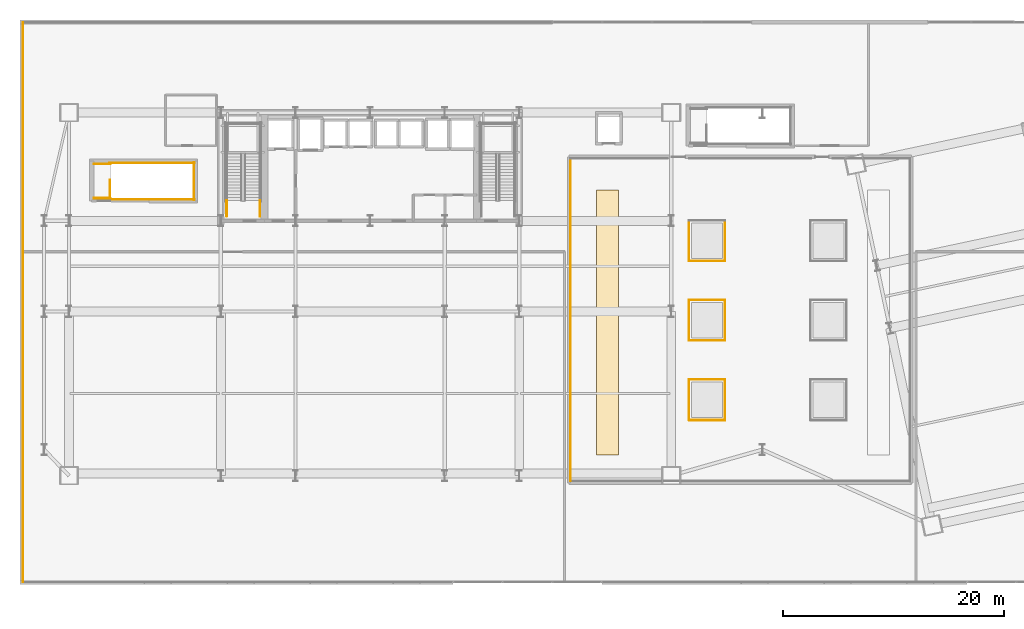
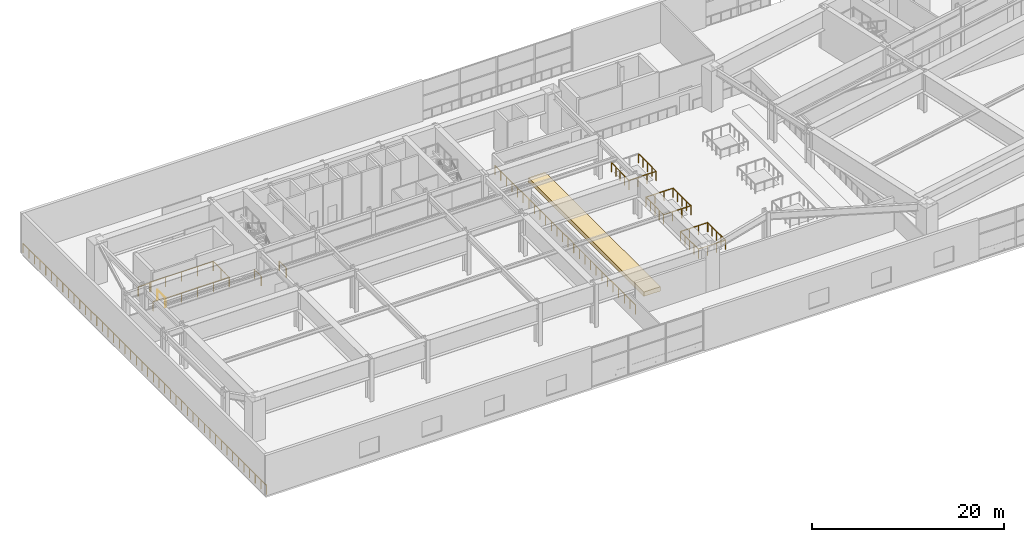
# One storey, part 21 of 29: 21 railings, 1 covering.
"""IFC4 building model written with IfcOpenShell, lengths in metres."""

from ifc_helpers import new_model, si_unit, direction, frame, origin, origin_2d, place, context, subcontext, project, spatial, polyline, rectangle, outline, extrude, material, layer, layer_set, type_object, element, save


model = new_model("IFC4")

# Units and contexts
model_context = context("Model", 3, precision=1e-05, world=origin(), true_north=direction((0.0, 1.0)))
body_context = subcontext(model_context, "Body", "Model", "MODEL_VIEW")
ifc_project = project(units=[si_unit("LENGTHUNIT", "METRE"), si_unit("AREAUNIT", "SQUARE_METRE"), si_unit("VOLUMEUNIT", "CUBIC_METRE"), si_unit("PLANEANGLEUNIT", "RADIAN"), si_unit("MASSUNIT", "GRAM", prefix="KILO")], contexts=[model_context])

# Site, building, storey
site_placement = place(None, origin())
site = spatial("IfcSite", under=ifc_project, at=site_placement, CompositionType="ELEMENT")
building_placement = place(site_placement, origin())
building = spatial("IfcBuilding", under=site, at=building_placement, Name="Haevon Station Towers", CompositionType="ELEMENT")
storey_placement = place(building_placement, frame((0.0, 0.0, 25.199951171875)))
storey = spatial("IfcBuildingStorey", under=building, at=storey_placement, Name="L05", CompositionType="ELEMENT", Elevation=25.199951171875)

# Railings
ifc_material_1 = material(Name="Steel S355", Category="steel")
railing_type_1 = type_object("IfcRailingType", Name="GRD-EXT1200", PredefinedType="GUARDRAIL", material=ifc_material_1)
railing_1_placement = place(storey_placement, frame((66.370361328125, 20.16015625, 0.0)))
element("IfcRailing", 1, at=railing_1_placement, inside=storey, type_object=railing_type_1, Name="L05 Atrium Void Balustrade 1", PredefinedType="GUARDRAIL", context=body_context, shape_type="SweptSolid", body=[
    extrude(rectangle(XDim=0.048095703125, YDim=0.048095703125, at=origin_2d()), frame((0.0, 0.0, 1.17578125), z_axis=(1.0, 0.0, 0.0), x_axis=(0.0, 1.0, 0.0)), (0.0, 0.0, 1.0), 3.25927734375),
    extrude(rectangle(XDim=0.0419921875, YDim=0.0419921875, at=origin_2d()), origin(), (0.0, 0.0, 1.0), 1.15185546875),
    extrude(rectangle(XDim=0.0419921875, YDim=0.0419921875, at=origin_2d()), frame((1.08642578125, 0.0, 0.0)), (0.0, 0.0, 1.0), 1.15185546875),
    extrude(rectangle(XDim=0.0419921875, YDim=0.0419921875, at=origin_2d()), frame((2.1728515625, 0.0, 0.0)), (0.0, 0.0, 1.0), 1.15185546875),
    extrude(rectangle(XDim=0.0419921875, YDim=0.0419921875, at=origin_2d()), frame((3.25927734375, 0.0, 0.0)), (0.0, 0.0, 1.0), 1.15185546875),
])
railing_2_placement = place(storey_placement, frame((69.629638671875, 20.16015625, 0.0)))
element("IfcRailing", 2, at=railing_2_placement, inside=storey, type_object=railing_type_1, Name="L05 Atrium Void Balustrade 2", PredefinedType="GUARDRAIL", context=body_context, shape_type="SweptSolid", body=[
    extrude(rectangle(XDim=0.048095703125, YDim=0.048095703125, at=origin_2d()), frame((0.0, 0.0, 1.17578125), z_axis=(0.0, 1.0, 0.0), x_axis=(-1.0, 0.0, 0.0)), (0.0, 0.0, 1.0), 3.6796875),
    extrude(rectangle(XDim=0.0419921875, YDim=0.0419921875, at=origin_2d()), origin(), (0.0, 0.0, 1.0), 1.15185546875),
    extrude(rectangle(XDim=0.0419921875, YDim=0.0419921875, at=origin_2d()), frame((0.0, 0.919921875, 0.0)), (0.0, 0.0, 1.0), 1.15185546875),
    extrude(rectangle(XDim=0.0419921875, YDim=0.0419921875, at=origin_2d()), frame((0.0, 1.83984375, 0.0)), (0.0, 0.0, 1.0), 1.15185546875),
    extrude(rectangle(XDim=0.0419921875, YDim=0.0419921875, at=origin_2d()), frame((0.0, 2.759765625, 0.0)), (0.0, 0.0, 1.0), 1.15185546875),
    extrude(rectangle(XDim=0.0419921875, YDim=0.0419921875, at=origin_2d()), frame((0.0, 3.6796875, 0.0)), (0.0, 0.0, 1.0), 1.15185546875),
])
railing_3_placement = place(storey_placement, frame((69.629638671875, 23.83984375, 0.0)))
element("IfcRailing", 3, at=railing_3_placement, inside=storey, type_object=railing_type_1, Name="L05 Atrium Void Balustrade 3", PredefinedType="GUARDRAIL", context=body_context, shape_type="SweptSolid", body=[
    extrude(rectangle(XDim=0.048095703125, YDim=0.048095703125, at=origin_2d()), frame((0.0, 0.0, 1.17578125), z_axis=(-1.0, 0.0, 0.0), x_axis=(0.0, -1.0, 0.0)), (0.0, 0.0, 1.0), 3.25927734375),
    extrude(rectangle(XDim=0.0419921875, YDim=0.0419921875, at=origin_2d()), origin(), (0.0, 0.0, 1.0), 1.15185546875),
    extrude(rectangle(XDim=0.0419921875, YDim=0.0419921875, at=origin_2d()), frame((-1.08642578125, 0.0, 0.0)), (0.0, 0.0, 1.0), 1.15185546875),
    extrude(rectangle(XDim=0.0419921875, YDim=0.0419921875, at=origin_2d()), frame((-2.1728515625, 0.0, 0.0)), (0.0, 0.0, 1.0), 1.15185546875),
    extrude(rectangle(XDim=0.0419921875, YDim=0.0419921875, at=origin_2d()), frame((-3.25927734375, 0.0, 0.0)), (0.0, 0.0, 1.0), 1.15185546875),
])
railing_4_placement = place(storey_placement, frame((66.370361328125, 23.83984375, 0.0)))
element("IfcRailing", 4, at=railing_4_placement, inside=storey, type_object=railing_type_1, Name="L05 Atrium Void Balustrade 4", PredefinedType="GUARDRAIL", context=body_context, shape_type="SweptSolid", body=[
    extrude(rectangle(XDim=0.048095703125, YDim=0.048095703125, at=origin_2d()), frame((0.0, 0.0, 1.17578125), z_axis=(0.0, -1.0, 0.0), x_axis=(1.0, 0.0, 0.0)), (0.0, 0.0, 1.0), 3.6796875),
    extrude(rectangle(XDim=0.0419921875, YDim=0.0419921875, at=origin_2d()), origin(), (0.0, 0.0, 1.0), 1.15185546875),
    extrude(rectangle(XDim=0.0419921875, YDim=0.0419921875, at=origin_2d()), frame((0.0, -0.919921875, 0.0)), (0.0, 0.0, 1.0), 1.15185546875),
    extrude(rectangle(XDim=0.0419921875, YDim=0.0419921875, at=origin_2d()), frame((0.0, -1.83984375, 0.0)), (0.0, 0.0, 1.0), 1.15185546875),
    extrude(rectangle(XDim=0.0419921875, YDim=0.0419921875, at=origin_2d()), frame((0.0, -2.759765625, 0.0)), (0.0, 0.0, 1.0), 1.15185546875),
    extrude(rectangle(XDim=0.0419921875, YDim=0.0419921875, at=origin_2d()), frame((0.0, -3.6796875, 0.0)), (0.0, 0.0, 1.0), 1.15185546875),
])
railing_5_placement = place(storey_placement, frame((66.370361328125, 27.360107421875, 0.0)))
element("IfcRailing", 5, at=railing_5_placement, inside=storey, type_object=railing_type_1, Name="L05 Atrium Void Balustrade 1", PredefinedType="GUARDRAIL", context=body_context, shape_type="SweptSolid", body=[
    extrude(rectangle(XDim=0.048095703125, YDim=0.048095703125, at=origin_2d()), frame((0.0, 0.0, 1.17578125), z_axis=(1.0, 0.0, 0.0), x_axis=(0.0, 1.0, 0.0)), (0.0, 0.0, 1.0), 3.25927734375),
    extrude(rectangle(XDim=0.0419921875, YDim=0.0419921875, at=origin_2d()), origin(), (0.0, 0.0, 1.0), 1.15185546875),
    extrude(rectangle(XDim=0.0419921875, YDim=0.0419921875, at=origin_2d()), frame((1.08642578125, 0.0, 0.0)), (0.0, 0.0, 1.0), 1.15185546875),
    extrude(rectangle(XDim=0.0419921875, YDim=0.0419921875, at=origin_2d()), frame((2.1728515625, 0.0, 0.0)), (0.0, 0.0, 1.0), 1.15185546875),
    extrude(rectangle(XDim=0.0419921875, YDim=0.0419921875, at=origin_2d()), frame((3.25927734375, 0.0, 0.0)), (0.0, 0.0, 1.0), 1.15185546875),
])
railing_6_placement = place(storey_placement, frame((69.629638671875, 27.360107421875, 0.0)))
element("IfcRailing", 6, at=railing_6_placement, inside=storey, type_object=railing_type_1, Name="L05 Atrium Void Balustrade 2", PredefinedType="GUARDRAIL", context=body_context, shape_type="SweptSolid", body=[
    extrude(rectangle(XDim=0.048095703125, YDim=0.048095703125, at=origin_2d()), frame((0.0, 0.0, 1.17578125), z_axis=(0.0, 1.0, 0.0), x_axis=(-1.0, 0.0, 0.0)), (0.0, 0.0, 1.0), 3.6796875),
    extrude(rectangle(XDim=0.0419921875, YDim=0.0419921875, at=origin_2d()), origin(), (0.0, 0.0, 1.0), 1.15185546875),
    extrude(rectangle(XDim=0.0419921875, YDim=0.0419921875, at=origin_2d()), frame((0.0, 0.919921875, 0.0)), (0.0, 0.0, 1.0), 1.15185546875),
    extrude(rectangle(XDim=0.0419921875, YDim=0.0419921875, at=origin_2d()), frame((0.0, 1.83984375, 0.0)), (0.0, 0.0, 1.0), 1.15185546875),
    extrude(rectangle(XDim=0.0419921875, YDim=0.0419921875, at=origin_2d()), frame((0.0, 2.759765625, 0.0)), (0.0, 0.0, 1.0), 1.15185546875),
    extrude(rectangle(XDim=0.0419921875, YDim=0.0419921875, at=origin_2d()), frame((0.0, 3.6796875, 0.0)), (0.0, 0.0, 1.0), 1.15185546875),
])
railing_7_placement = place(storey_placement, frame((69.629638671875, 31.039794921875, 0.0)))
element("IfcRailing", 7, at=railing_7_placement, inside=storey, type_object=railing_type_1, Name="L05 Atrium Void Balustrade 3", PredefinedType="GUARDRAIL", context=body_context, shape_type="SweptSolid", body=[
    extrude(rectangle(XDim=0.048095703125, YDim=0.048095703125, at=origin_2d()), frame((0.0, 0.0, 1.17578125), z_axis=(-1.0, 0.0, 0.0), x_axis=(0.0, -1.0, 0.0)), (0.0, 0.0, 1.0), 3.25927734375),
    extrude(rectangle(XDim=0.0419921875, YDim=0.0419921875, at=origin_2d()), origin(), (0.0, 0.0, 1.0), 1.15185546875),
    extrude(rectangle(XDim=0.0419921875, YDim=0.0419921875, at=origin_2d()), frame((-1.08642578125, 0.0, 0.0)), (0.0, 0.0, 1.0), 1.15185546875),
    extrude(rectangle(XDim=0.0419921875, YDim=0.0419921875, at=origin_2d()), frame((-2.1728515625, 0.0, 0.0)), (0.0, 0.0, 1.0), 1.15185546875),
    extrude(rectangle(XDim=0.0419921875, YDim=0.0419921875, at=origin_2d()), frame((-3.25927734375, 0.0, 0.0)), (0.0, 0.0, 1.0), 1.15185546875),
])
railing_8_placement = place(storey_placement, frame((66.370361328125, 31.039794921875, 0.0)))
element("IfcRailing", 8, at=railing_8_placement, inside=storey, type_object=railing_type_1, Name="L05 Atrium Void Balustrade 4", PredefinedType="GUARDRAIL", context=body_context, shape_type="SweptSolid", body=[
    extrude(rectangle(XDim=0.048095703125, YDim=0.048095703125, at=origin_2d()), frame((0.0, 0.0, 1.17578125), z_axis=(0.0, -1.0, 0.0), x_axis=(1.0, 0.0, 0.0)), (0.0, 0.0, 1.0), 3.6796875),
    extrude(rectangle(XDim=0.0419921875, YDim=0.0419921875, at=origin_2d()), origin(), (0.0, 0.0, 1.0), 1.15185546875),
    extrude(rectangle(XDim=0.0419921875, YDim=0.0419921875, at=origin_2d()), frame((0.0, -0.919921875, 0.0)), (0.0, 0.0, 1.0), 1.15185546875),
    extrude(rectangle(XDim=0.0419921875, YDim=0.0419921875, at=origin_2d()), frame((0.0, -1.83984375, 0.0)), (0.0, 0.0, 1.0), 1.15185546875),
    extrude(rectangle(XDim=0.0419921875, YDim=0.0419921875, at=origin_2d()), frame((0.0, -2.759765625, 0.0)), (0.0, 0.0, 1.0), 1.15185546875),
    extrude(rectangle(XDim=0.0419921875, YDim=0.0419921875, at=origin_2d()), frame((0.0, -3.6796875, 0.0)), (0.0, 0.0, 1.0), 1.15185546875),
])
railing_9_placement = place(storey_placement, frame((66.370361328125, 34.56005859375, 0.0)))
element("IfcRailing", 9, at=railing_9_placement, inside=storey, type_object=railing_type_1, Name="L05 Atrium Void Balustrade 1", PredefinedType="GUARDRAIL", context=body_context, shape_type="SweptSolid", body=[
    extrude(rectangle(XDim=0.048095703125, YDim=0.048095703125, at=origin_2d()), frame((0.0, 0.0, 1.17578125), z_axis=(1.0, 0.0, 0.0), x_axis=(0.0, 1.0, 0.0)), (0.0, 0.0, 1.0), 3.25927734375),
    extrude(rectangle(XDim=0.0419921875, YDim=0.0419921875, at=origin_2d()), origin(), (0.0, 0.0, 1.0), 1.15185546875),
    extrude(rectangle(XDim=0.0419921875, YDim=0.0419921875, at=origin_2d()), frame((1.08642578125, 0.0, 0.0)), (0.0, 0.0, 1.0), 1.15185546875),
    extrude(rectangle(XDim=0.0419921875, YDim=0.0419921875, at=origin_2d()), frame((2.1728515625, 0.0, 0.0)), (0.0, 0.0, 1.0), 1.15185546875),
    extrude(rectangle(XDim=0.0419921875, YDim=0.0419921875, at=origin_2d()), frame((3.25927734375, 0.0, 0.0)), (0.0, 0.0, 1.0), 1.15185546875),
])
railing_10_placement = place(storey_placement, frame((69.629638671875, 34.56005859375, 0.0)))
element("IfcRailing", 10, at=railing_10_placement, inside=storey, type_object=railing_type_1, Name="L05 Atrium Void Balustrade 2", PredefinedType="GUARDRAIL", context=body_context, shape_type="SweptSolid", body=[
    extrude(rectangle(XDim=0.048095703125, YDim=0.048095703125, at=origin_2d()), frame((0.0, 0.0, 1.17578125), z_axis=(0.0, 1.0, 0.0), x_axis=(-1.0, 0.0, 0.0)), (0.0, 0.0, 1.0), 3.6796875),
    extrude(rectangle(XDim=0.0419921875, YDim=0.0419921875, at=origin_2d()), origin(), (0.0, 0.0, 1.0), 1.15185546875),
    extrude(rectangle(XDim=0.0419921875, YDim=0.0419921875, at=origin_2d()), frame((0.0, 0.919921875, 0.0)), (0.0, 0.0, 1.0), 1.15185546875),
    extrude(rectangle(XDim=0.0419921875, YDim=0.0419921875, at=origin_2d()), frame((0.0, 1.83984375, 0.0)), (0.0, 0.0, 1.0), 1.15185546875),
    extrude(rectangle(XDim=0.0419921875, YDim=0.0419921875, at=origin_2d()), frame((0.0, 2.759765625, 0.0)), (0.0, 0.0, 1.0), 1.15185546875),
    extrude(rectangle(XDim=0.0419921875, YDim=0.0419921875, at=origin_2d()), frame((0.0, 3.6796875, 0.0)), (0.0, 0.0, 1.0), 1.15185546875),
])
railing_11_placement = place(storey_placement, frame((66.370361328125, 38.23974609375, 0.0)))
element("IfcRailing", 11, at=railing_11_placement, inside=storey, type_object=railing_type_1, Name="L05 Atrium Void Balustrade 4", PredefinedType="GUARDRAIL", context=body_context, shape_type="SweptSolid", body=[
    extrude(rectangle(XDim=0.048095703125, YDim=0.048095703125, at=origin_2d()), frame((0.0, 0.0, 1.17578125), z_axis=(0.0, -1.0, 0.0), x_axis=(1.0, 0.0, 0.0)), (0.0, 0.0, 1.0), 3.6796875),
    extrude(rectangle(XDim=0.0419921875, YDim=0.0419921875, at=origin_2d()), origin(), (0.0, 0.0, 1.0), 1.15185546875),
    extrude(rectangle(XDim=0.0419921875, YDim=0.0419921875, at=origin_2d()), frame((0.0, -0.919921875, 0.0)), (0.0, 0.0, 1.0), 1.15185546875),
    extrude(rectangle(XDim=0.0419921875, YDim=0.0419921875, at=origin_2d()), frame((0.0, -1.83984375, 0.0)), (0.0, 0.0, 1.0), 1.15185546875),
    extrude(rectangle(XDim=0.0419921875, YDim=0.0419921875, at=origin_2d()), frame((0.0, -2.759765625, 0.0)), (0.0, 0.0, 1.0), 1.15185546875),
    extrude(rectangle(XDim=0.0419921875, YDim=0.0419921875, at=origin_2d()), frame((0.0, -3.6796875, 0.0)), (0.0, 0.0, 1.0), 1.15185546875),
])
railing_12_placement = place(storey_placement, frame((55.64990234375, 43.85009765625, 0.0)))
element("IfcRailing", 12, at=railing_12_placement, inside=storey, type_object=railing_type_1, Name="L05 Podium Roof Garden Guardrail 6", PredefinedType="GUARDRAIL", context=body_context, shape_type="SweptSolid", body=[
    extrude(rectangle(XDim=0.048095703125, YDim=0.048095703125, at=origin_2d()), frame((0.0, 0.0, 1.17578125), z_axis=(0.0, -1.0, 0.0), x_axis=(1.0, 0.0, 0.0)), (0.0, 0.0, 1.0), 29.2001953125),
    extrude(rectangle(XDim=0.0419921875, YDim=0.0419921875, at=origin_2d()), origin(), (0.0, 0.0, 1.0), 1.15185546875),
    extrude(rectangle(XDim=0.0419921875, YDim=0.0419921875, at=origin_2d()), frame((0.0, -1.16796875, 0.0)), (0.0, 0.0, 1.0), 1.15185546875),
    extrude(rectangle(XDim=0.0419921875, YDim=0.0419921875, at=origin_2d()), frame((0.0, -2.3359375, 0.0)), (0.0, 0.0, 1.0), 1.15185546875),
    extrude(rectangle(XDim=0.0419921875, YDim=0.0419921875, at=origin_2d()), frame((0.0, -3.50390625, 0.0)), (0.0, 0.0, 1.0), 1.15185546875),
    extrude(rectangle(XDim=0.0419921875, YDim=0.0419921875, at=origin_2d()), frame((0.0, -4.672119140625, 0.0)), (0.0, 0.0, 1.0), 1.15185546875),
    extrude(rectangle(XDim=0.0419921875, YDim=0.0419921875, at=origin_2d()), frame((0.0, -5.840087890625, 0.0)), (0.0, 0.0, 1.0), 1.15185546875),
    extrude(rectangle(XDim=0.0419921875, YDim=0.0419921875, at=origin_2d()), frame((0.0, -7.008056640625, 0.0)), (0.0, 0.0, 1.0), 1.15185546875),
    extrude(rectangle(XDim=0.0419921875, YDim=0.0419921875, at=origin_2d()), frame((0.0, -8.176025390625, 0.0)), (0.0, 0.0, 1.0), 1.15185546875),
    extrude(rectangle(XDim=0.0419921875, YDim=0.0419921875, at=origin_2d()), frame((0.0, -9.343994140625, 0.0)), (0.0, 0.0, 1.0), 1.15185546875),
    extrude(rectangle(XDim=0.0419921875, YDim=0.0419921875, at=origin_2d()), frame((0.0, -10.511962890625, 0.0)), (0.0, 0.0, 1.0), 1.15185546875),
    extrude(rectangle(XDim=0.0419921875, YDim=0.0419921875, at=origin_2d()), frame((0.0, -11.68017578125, 0.0)), (0.0, 0.0, 1.0), 1.15185546875),
    extrude(rectangle(XDim=0.0419921875, YDim=0.0419921875, at=origin_2d()), frame((0.0, -12.84814453125, 0.0)), (0.0, 0.0, 1.0), 1.15185546875),
    extrude(rectangle(XDim=0.0419921875, YDim=0.0419921875, at=origin_2d()), frame((0.0, -14.01611328125, 0.0)), (0.0, 0.0, 1.0), 1.15185546875),
    extrude(rectangle(XDim=0.0419921875, YDim=0.0419921875, at=origin_2d()), frame((0.0, -15.18408203125, 0.0)), (0.0, 0.0, 1.0), 1.15185546875),
    extrude(rectangle(XDim=0.0419921875, YDim=0.0419921875, at=origin_2d()), frame((0.0, -16.35205078125, 0.0)), (0.0, 0.0, 1.0), 1.15185546875),
    extrude(rectangle(XDim=0.0419921875, YDim=0.0419921875, at=origin_2d()), frame((0.0, -17.52001953125, 0.0)), (0.0, 0.0, 1.0), 1.15185546875),
    extrude(rectangle(XDim=0.0419921875, YDim=0.0419921875, at=origin_2d()), frame((0.0, -18.688232421875, 0.0)), (0.0, 0.0, 1.0), 1.15185546875),
    extrude(rectangle(XDim=0.0419921875, YDim=0.0419921875, at=origin_2d()), frame((0.0, -19.856201171875, 0.0)), (0.0, 0.0, 1.0), 1.15185546875),
    extrude(rectangle(XDim=0.0419921875, YDim=0.0419921875, at=origin_2d()), frame((0.0, -21.024169921875, 0.0)), (0.0, 0.0, 1.0), 1.15185546875),
    extrude(rectangle(XDim=0.0419921875, YDim=0.0419921875, at=origin_2d()), frame((0.0, -22.192138671875, 0.0)), (0.0, 0.0, 1.0), 1.15185546875),
    extrude(rectangle(XDim=0.0419921875, YDim=0.0419921875, at=origin_2d()), frame((0.0, -23.360107421875, 0.0)), (0.0, 0.0, 1.0), 1.15185546875),
    extrude(rectangle(XDim=0.0419921875, YDim=0.0419921875, at=origin_2d()), frame((0.0, -24.528076171875, 0.0)), (0.0, 0.0, 1.0), 1.15185546875),
    extrude(rectangle(XDim=0.0419921875, YDim=0.0419921875, at=origin_2d()), frame((0.0, -25.6962890625, 0.0)), (0.0, 0.0, 1.0), 1.15185546875),
    extrude(rectangle(XDim=0.0419921875, YDim=0.0419921875, at=origin_2d()), frame((0.0, -26.8642578125, 0.0)), (0.0, 0.0, 1.0), 1.15185546875),
    extrude(rectangle(XDim=0.0419921875, YDim=0.0419921875, at=origin_2d()), frame((0.0, -28.0322265625, 0.0)), (0.0, 0.0, 1.0), 1.15185546875),
    extrude(rectangle(XDim=0.0419921875, YDim=0.0419921875, at=origin_2d()), frame((0.0, -29.2001953125, 0.0)), (0.0, 0.0, 1.0), 1.15185546875),
])
railing_13_placement = place(storey_placement, frame((6.0751953125, 56.172607421875, 0.0)))
element("IfcRailing", 13, at=railing_13_placement, inside=storey, type_object=railing_type_1, Name="L05 Perimeter Guardrail 4", PredefinedType="GUARDRAIL", context=body_context, shape_type="SweptSolid", body=[
    extrude(rectangle(XDim=0.048095703125, YDim=0.048095703125, at=origin_2d()), frame((0.0, 0.0, 1.17578125), z_axis=(0.0, -1.0, 0.0), x_axis=(1.0, 0.0, 0.0)), (0.0, 0.0, 1.0), 50.645263671875),
    extrude(rectangle(XDim=0.0419921875, YDim=0.0419921875, at=origin_2d()), origin(), (0.0, 0.0, 1.0), 1.15185546875),
    extrude(rectangle(XDim=0.0419921875, YDim=0.0419921875, at=origin_2d()), frame((0.0, -1.177734375, 0.0)), (0.0, 0.0, 1.0), 1.15185546875),
    extrude(rectangle(XDim=0.0419921875, YDim=0.0419921875, at=origin_2d()), frame((0.0, -2.355712890625, 0.0)), (0.0, 0.0, 1.0), 1.15185546875),
    extrude(rectangle(XDim=0.0419921875, YDim=0.0419921875, at=origin_2d()), frame((0.0, -3.533447265625, 0.0)), (0.0, 0.0, 1.0), 1.15185546875),
    extrude(rectangle(XDim=0.0419921875, YDim=0.0419921875, at=origin_2d()), frame((0.0, -4.711181640625, 0.0)), (0.0, 0.0, 1.0), 1.15185546875),
    extrude(rectangle(XDim=0.0419921875, YDim=0.0419921875, at=origin_2d()), frame((0.0, -5.888916015625, 0.0)), (0.0, 0.0, 1.0), 1.15185546875),
    extrude(rectangle(XDim=0.0419921875, YDim=0.0419921875, at=origin_2d()), frame((0.0, -7.06689453125, 0.0)), (0.0, 0.0, 1.0), 1.15185546875),
    extrude(rectangle(XDim=0.0419921875, YDim=0.0419921875, at=origin_2d()), frame((0.0, -8.24462890625, 0.0)), (0.0, 0.0, 1.0), 1.15185546875),
    extrude(rectangle(XDim=0.0419921875, YDim=0.0419921875, at=origin_2d()), frame((0.0, -9.42236328125, 0.0)), (0.0, 0.0, 1.0), 1.15185546875),
    extrude(rectangle(XDim=0.0419921875, YDim=0.0419921875, at=origin_2d()), frame((0.0, -10.60009765625, 0.0)), (0.0, 0.0, 1.0), 1.15185546875),
    extrude(rectangle(XDim=0.0419921875, YDim=0.0419921875, at=origin_2d()), frame((0.0, -11.778076171875, 0.0)), (0.0, 0.0, 1.0), 1.15185546875),
    extrude(rectangle(XDim=0.0419921875, YDim=0.0419921875, at=origin_2d()), frame((0.0, -12.955810546875, 0.0)), (0.0, 0.0, 1.0), 1.15185546875),
    extrude(rectangle(XDim=0.0419921875, YDim=0.0419921875, at=origin_2d()), frame((0.0, -14.133544921875, 0.0)), (0.0, 0.0, 1.0), 1.15185546875),
    extrude(rectangle(XDim=0.0419921875, YDim=0.0419921875, at=origin_2d()), frame((0.0, -15.311279296875, 0.0)), (0.0, 0.0, 1.0), 1.15185546875),
    extrude(rectangle(XDim=0.0419921875, YDim=0.0419921875, at=origin_2d()), frame((0.0, -16.4892578125, 0.0)), (0.0, 0.0, 1.0), 1.15185546875),
    extrude(rectangle(XDim=0.0419921875, YDim=0.0419921875, at=origin_2d()), frame((0.0, -17.6669921875, 0.0)), (0.0, 0.0, 1.0), 1.15185546875),
    extrude(rectangle(XDim=0.0419921875, YDim=0.0419921875, at=origin_2d()), frame((0.0, -18.8447265625, 0.0)), (0.0, 0.0, 1.0), 1.15185546875),
    extrude(rectangle(XDim=0.0419921875, YDim=0.0419921875, at=origin_2d()), frame((0.0, -20.0224609375, 0.0)), (0.0, 0.0, 1.0), 1.15185546875),
    extrude(rectangle(XDim=0.0419921875, YDim=0.0419921875, at=origin_2d()), frame((0.0, -21.200439453125, 0.0)), (0.0, 0.0, 1.0), 1.15185546875),
    extrude(rectangle(XDim=0.0419921875, YDim=0.0419921875, at=origin_2d()), frame((0.0, -22.378173828125, 0.0)), (0.0, 0.0, 1.0), 1.15185546875),
    extrude(rectangle(XDim=0.0419921875, YDim=0.0419921875, at=origin_2d()), frame((0.0, -23.555908203125, 0.0)), (0.0, 0.0, 1.0), 1.15185546875),
    extrude(rectangle(XDim=0.0419921875, YDim=0.0419921875, at=origin_2d()), frame((0.0, -24.733642578125, 0.0)), (0.0, 0.0, 1.0), 1.15185546875),
    extrude(rectangle(XDim=0.0419921875, YDim=0.0419921875, at=origin_2d()), frame((0.0, -25.91162109375, 0.0)), (0.0, 0.0, 1.0), 1.15185546875),
    extrude(rectangle(XDim=0.0419921875, YDim=0.0419921875, at=origin_2d()), frame((0.0, -27.08935546875, 0.0)), (0.0, 0.0, 1.0), 1.15185546875),
    extrude(rectangle(XDim=0.0419921875, YDim=0.0419921875, at=origin_2d()), frame((0.0, -28.26708984375, 0.0)), (0.0, 0.0, 1.0), 1.15185546875),
    extrude(rectangle(XDim=0.0419921875, YDim=0.0419921875, at=origin_2d()), frame((0.0, -29.44482421875, 0.0)), (0.0, 0.0, 1.0), 1.15185546875),
    extrude(rectangle(XDim=0.0419921875, YDim=0.0419921875, at=origin_2d()), frame((0.0, -30.622802734375, 0.0)), (0.0, 0.0, 1.0), 1.15185546875),
    extrude(rectangle(XDim=0.0419921875, YDim=0.0419921875, at=origin_2d()), frame((0.0, -31.800537109375, 0.0)), (0.0, 0.0, 1.0), 1.15185546875),
    extrude(rectangle(XDim=0.0419921875, YDim=0.0419921875, at=origin_2d()), frame((0.0, -32.978271484375, 0.0)), (0.0, 0.0, 1.0), 1.15185546875),
    extrude(rectangle(XDim=0.0419921875, YDim=0.0419921875, at=origin_2d()), frame((0.0, -34.156005859375, 0.0)), (0.0, 0.0, 1.0), 1.15185546875),
    extrude(rectangle(XDim=0.0419921875, YDim=0.0419921875, at=origin_2d()), frame((0.0, -35.333984375, 0.0)), (0.0, 0.0, 1.0), 1.15185546875),
    extrude(rectangle(XDim=0.0419921875, YDim=0.0419921875, at=origin_2d()), frame((0.0, -36.51171875, 0.0)), (0.0, 0.0, 1.0), 1.15185546875),
    extrude(rectangle(XDim=0.0419921875, YDim=0.0419921875, at=origin_2d()), frame((0.0, -37.689453125, 0.0)), (0.0, 0.0, 1.0), 1.15185546875),
    extrude(rectangle(XDim=0.0419921875, YDim=0.0419921875, at=origin_2d()), frame((0.0, -38.8671875, 0.0)), (0.0, 0.0, 1.0), 1.15185546875),
    extrude(rectangle(XDim=0.0419921875, YDim=0.0419921875, at=origin_2d()), frame((0.0, -40.045166015625, 0.0)), (0.0, 0.0, 1.0), 1.15185546875),
    extrude(rectangle(XDim=0.0419921875, YDim=0.0419921875, at=origin_2d()), frame((0.0, -41.222900390625, 0.0)), (0.0, 0.0, 1.0), 1.15185546875),
    extrude(rectangle(XDim=0.0419921875, YDim=0.0419921875, at=origin_2d()), frame((0.0, -42.400634765625, 0.0)), (0.0, 0.0, 1.0), 1.15185546875),
    extrude(rectangle(XDim=0.0419921875, YDim=0.0419921875, at=origin_2d()), frame((0.0, -43.578369140625, 0.0)), (0.0, 0.0, 1.0), 1.15185546875),
    extrude(rectangle(XDim=0.0419921875, YDim=0.0419921875, at=origin_2d()), frame((0.0, -44.75634765625, 0.0)), (0.0, 0.0, 1.0), 1.15185546875),
    extrude(rectangle(XDim=0.0419921875, YDim=0.0419921875, at=origin_2d()), frame((0.0, -45.93408203125, 0.0)), (0.0, 0.0, 1.0), 1.15185546875),
    extrude(rectangle(XDim=0.0419921875, YDim=0.0419921875, at=origin_2d()), frame((0.0, -47.11181640625, 0.0)), (0.0, 0.0, 1.0), 1.15185546875),
    extrude(rectangle(XDim=0.0419921875, YDim=0.0419921875, at=origin_2d()), frame((0.0, -48.28955078125, 0.0)), (0.0, 0.0, 1.0), 1.15185546875),
    extrude(rectangle(XDim=0.0419921875, YDim=0.0419921875, at=origin_2d()), frame((0.0, -49.467529296875, 0.0)), (0.0, 0.0, 1.0), 1.15185546875),
    extrude(rectangle(XDim=0.0419921875, YDim=0.0419921875, at=origin_2d()), frame((0.0, -50.645263671875, 0.0)), (0.0, 0.0, 1.0), 1.15185546875),
])
railing_type_2 = type_object("IfcRailingType", Name="GRD-STR1200", PredefinedType="GUARDRAIL", material=ifc_material_1)
for number, where, name in (
    (14, (27.530029296875, 38.60009765625, 0.0), "L05 ST1 Stair Guard 8"),
    (15, (24.530029296875, 38.60009765625, 0.0), "L05 ST1 Stair Guard 9"),
):
    element("IfcRailing", number, at=place(storey_placement, frame(where)), inside=storey, type_object=railing_type_2, Name=name, PredefinedType="GUARDRAIL", context=body_context, shape_type="SweptSolid", body=[
        extrude(rectangle(XDim=0.048095703125, YDim=0.048095703125, at=origin_2d()), frame((0.0, 0.0, 1.17578125), z_axis=(0.0, 1.0, 0.0), x_axis=(-1.0, 0.0, 0.0)), (0.0, 0.0, 1.0), 1.449951171875),
        extrude(rectangle(XDim=0.0419921875, YDim=0.0419921875, at=origin_2d()), origin(), (0.0, 0.0, 1.0), 1.15185546875),
        extrude(rectangle(XDim=0.0419921875, YDim=0.0419921875, at=origin_2d()), frame((0.0, 1.449951171875, 0.0)), (0.0, 0.0, 1.0), 1.15185546875),
    ])
railing_14_placement = place(storey_placement, frame((13.949951171875, 40.199951171875, 0.0)))
element("IfcRailing", 16, at=railing_14_placement, inside=storey, type_object=railing_type_2, Name="L05 ST5 Top Well Guard 1", PredefinedType="GUARDRAIL", context=body_context, shape_type="SweptSolid", body=[
    extrude(rectangle(XDim=0.048095703125, YDim=0.048095703125, at=origin_2d()), frame((0.0, 0.0, 1.17578125), z_axis=(0.0, 1.0, 0.0), x_axis=(-1.0, 0.0, 0.0)), (0.0, 0.0, 1.0), 1.699951171875),
    extrude(rectangle(XDim=0.0419921875, YDim=0.0419921875, at=origin_2d()), origin(), (0.0, 0.0, 1.0), 1.15185546875),
    extrude(rectangle(XDim=0.0419921875, YDim=0.0419921875, at=origin_2d()), frame((0.0, 1.699951171875, 0.0)), (0.0, 0.0, 1.0), 1.15185546875),
])
for number, where, name in (
    (17, (13.89990234375, 40.14990234375, 0.0), "L05 ST5 Top Well Guard 2"),
    (18, (13.89990234375, 43.449951171875, 0.0), "L05 ST5 Top Well Guard 3"),
):
    element("IfcRailing", number, at=place(storey_placement, frame(where)), inside=storey, type_object=railing_type_2, Name=name, PredefinedType="GUARDRAIL", context=body_context, shape_type="SweptSolid", body=[
        extrude(rectangle(XDim=0.048095703125, YDim=0.048095703125, at=origin_2d()), frame((0.0, 0.0, 1.17578125), z_axis=(1.0, 0.0, 0.0), x_axis=(0.0, 1.0, 0.0)), (0.0, 0.0, 1.0), 7.7001953125),
        extrude(rectangle(XDim=0.0419921875, YDim=0.0419921875, at=origin_2d()), origin(), (0.0, 0.0, 1.0), 1.15185546875),
        extrude(rectangle(XDim=0.0419921875, YDim=0.0419921875, at=origin_2d()), frame((1.925048828125, 0.0, 0.0)), (0.0, 0.0, 1.0), 1.15185546875),
        extrude(rectangle(XDim=0.0419921875, YDim=0.0419921875, at=origin_2d()), frame((3.85009765625, 0.0, 0.0)), (0.0, 0.0, 1.0), 1.15185546875),
        extrude(rectangle(XDim=0.0419921875, YDim=0.0419921875, at=origin_2d()), frame((5.775146484375, 0.0, 0.0)), (0.0, 0.0, 1.0), 1.15185546875),
        extrude(rectangle(XDim=0.0419921875, YDim=0.0419921875, at=origin_2d()), frame((7.7001953125, 0.0, 0.0)), (0.0, 0.0, 1.0), 1.15185546875),
    ])
railing_15_placement = place(storey_placement, frame((21.550048828125, 40.10009765625, 0.0)))
element("IfcRailing", 19, at=railing_15_placement, inside=storey, type_object=railing_type_2, Name="L05 ST5 Top Well Guard 4", PredefinedType="GUARDRAIL", context=body_context, shape_type="SweptSolid", body=[
    extrude(rectangle(XDim=0.048095703125, YDim=0.048095703125, at=origin_2d()), frame((0.0, 0.0, 1.17578125), z_axis=(0.0, 1.0, 0.0), x_axis=(-1.0, 0.0, 0.0)), (0.0, 0.0, 1.0), 3.39990234375),
    extrude(rectangle(XDim=0.0419921875, YDim=0.0419921875, at=origin_2d()), origin(), (0.0, 0.0, 1.0), 1.15185546875),
    extrude(rectangle(XDim=0.0419921875, YDim=0.0419921875, at=origin_2d()), frame((0.0, 1.699951171875, 0.0)), (0.0, 0.0, 1.0), 1.15185546875),
    extrude(rectangle(XDim=0.0419921875, YDim=0.0419921875, at=origin_2d()), frame((0.0, 3.39990234375, 0.0)), (0.0, 0.0, 1.0), 1.15185546875),
])
for number, where, name in (
    (20, (12.5, 40.25, 0.0), "L05 ST5 Top Well Guard 5"),
    (21, (12.5, 43.35009765625, 0.0), "L05 ST5 Top Well Guard 6"),
):
    element("IfcRailing", number, at=place(storey_placement, frame(where)), inside=storey, type_object=railing_type_2, Name=name, PredefinedType="GUARDRAIL", context=body_context, shape_type="SweptSolid", body=[
        extrude(rectangle(XDim=0.048095703125, YDim=0.048095703125, at=origin_2d()), frame((0.0, 0.0, 1.17578125), z_axis=(1.0, 0.0, 0.0), x_axis=(0.0, 1.0, 0.0)), (0.0, 0.0, 1.0), 1.5),
        extrude(rectangle(XDim=0.0419921875, YDim=0.0419921875, at=origin_2d()), origin(), (0.0, 0.0, 1.0), 1.15185546875),
        extrude(rectangle(XDim=0.0419921875, YDim=0.0419921875, at=origin_2d()), frame((1.5, 0.0, 0.0)), (0.0, 0.0, 1.0), 1.15185546875),
    ])

# Covering
ifc_material_2 = material(Name="Architectural planter GRC", Category="concrete")
ifc_layer = layer(ifc_material_2, 0.550048828125)
ifc_layer_set = layer_set([ifc_layer], Name="Architectural planter GRC")
covering_type = type_object("IfcCoveringType", Name="PLN-GRC550", PredefinedType="MOLDING", material=ifc_layer_set)
covering_placement = place(storey_placement, origin())
element("IfcCovering", 22, at=covering_placement, inside=storey, type_object=covering_type, Name="L05 Podium Roof Garden GRC PLANTER 1", PredefinedType="MOLDING", context=body_context, shape_type="SweptSolid", body=[
    extrude(outline(polyline([(58.0, 17.0), (60.0, 17.0), (60.0, 41.0), (58.0, 41.0), (58.0, 17.0)])), origin(), (0.0, 0.0, 1.0), 0.550048828125),
])

save(model, "model.ifc")
